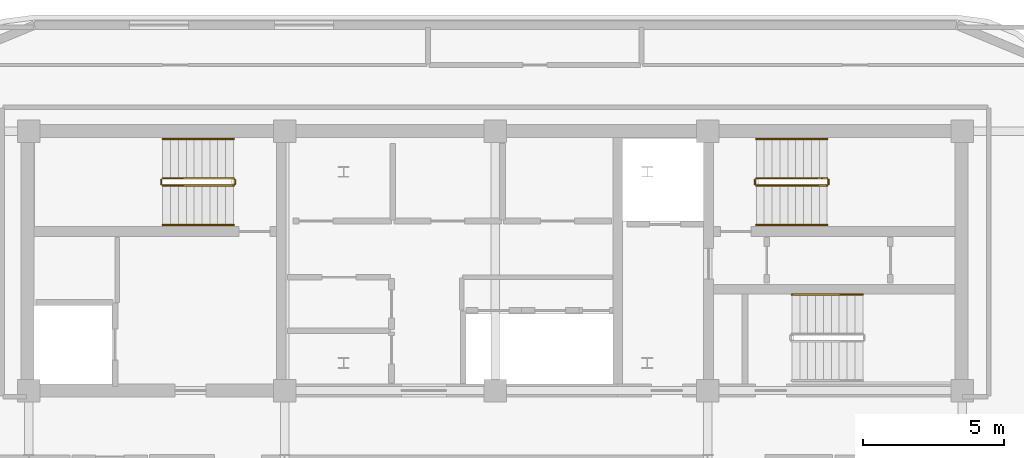
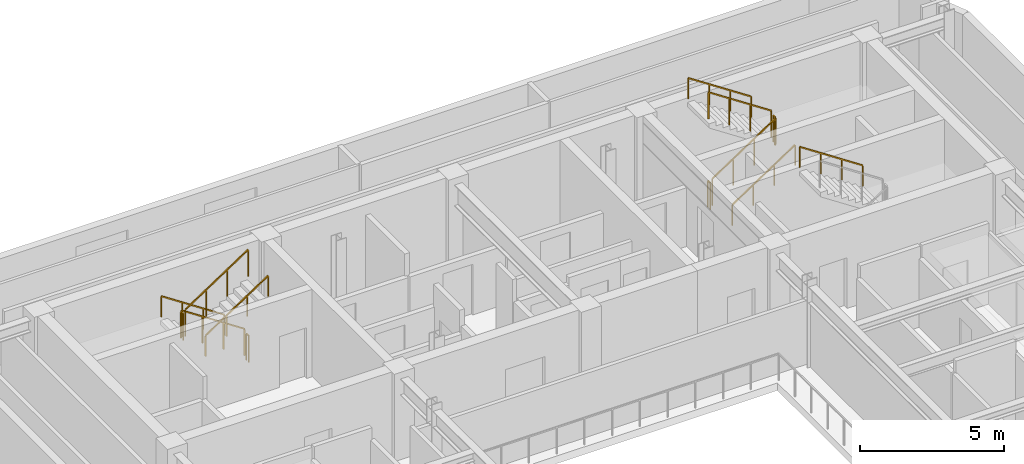
# One storey, part 14 of 14: 13 railings.
"""IFC4 building model written with IfcOpenShell, lengths in metres."""

import ifcopenshell
import ifcopenshell.guid

model = None  # the IFC model being written
_history = None  # IfcOwnerHistory: only IFC2X3 demands one
_inside = {}  # id of a spatial element -> (the spatial element, [elements in it])
_under = {}  # id of a project, library or spatial element -> (it, [spatial elements below it])
_declared = {}  # id of a project -> (the project, [libraries it declares])
_typed = {}  # id of a type object -> (the type object, [elements of that type])
_made_of = {}  # id of a material, layer set ... -> (it, [elements and type objects made of it])


def new_model(schema):
    """Start an empty IFC model of exactly this schema.

    Asked for "IFC4X3", IfcOpenShell would pick the latest addendum, in which some entities
    have other attributes; the version numbers below select the first issue.
    IFC2X3 requires an IfcOwnerHistory on every rooted entity: one is made here for all.
    """
    global model, _history
    if schema == "IFC4X3":
        model = ifcopenshell.file(schema_version=(4, 3, 0, 0))
    else:
        model = ifcopenshell.file(schema=schema)
    _inside.clear()
    _under.clear()
    _declared.clear()
    _typed.clear()
    _made_of.clear()
    _history = None
    if model.schema == "IFC2X3":
        org = make("IfcOrganization", Name="unknown")
        user = make(
            "IfcPersonAndOrganization",
            ThePerson=make("IfcPerson", FamilyName="unknown"),
            TheOrganization=org,
        )
        app = make(
            "IfcApplication",
            ApplicationDeveloper=org,
            Version="unknown",
            ApplicationFullName="unknown",
            ApplicationIdentifier="unknown",
        )
        _history = make(
            "IfcOwnerHistory",
            OwningUser=user,
            OwningApplication=app,
            ChangeAction="ADDED",
            CreationDate=0,
        )
    return model


def make(cls, **values):
    """One entity of the class cls with the attributes given. An attribute that is None is left unset."""
    return model.create_entity(
        cls, **{name: value for name, value in values.items() if value is not None}
    )


def rooted(cls, **values):
    """An entity with a GlobalId (a new one), such as an element, a storey or a relation."""
    return make(cls, GlobalId=ifcopenshell.guid.new(), OwnerHistory=_history, **values)


def si_unit(unit_type, name, prefix=None):
    """IfcSIUnit, for example si_unit("LENGTHUNIT", "METRE", prefix="MILLI")."""
    return make("IfcSIUnit", UnitType=unit_type, Prefix=prefix, Name=name)


def assignment(units):
    """IfcUnitAssignment: the units of a project."""
    return None if units is None else make("IfcUnitAssignment", Units=units)


def point(xyz):
    """IfcCartesianPoint."""
    return None if xyz is None else make("IfcCartesianPoint", Coordinates=xyz)


def direction(xyz):
    """IfcDirection."""
    return None if xyz is None else make("IfcDirection", DirectionRatios=xyz)


def frame(location, z_axis=None, x_axis=None):
    """IfcAxis2Placement3D, a coordinate frame: its origin and axes. An axis left out is left unset."""
    return make(
        "IfcAxis2Placement3D",
        Location=point(location),
        Axis=direction(z_axis),
        RefDirection=direction(x_axis),
    )


def frame_2d(location, x_axis=None):
    """IfcAxis2Placement2D, a coordinate frame in the plane: its origin and x axis."""
    return make(
        "IfcAxis2Placement2D", Location=point(location), RefDirection=direction(x_axis)
    )


def origin():
    """The frame at (0, 0, 0) with its axes left unset."""
    return frame((0.0, 0.0, 0.0))


def origin_2d():
    """The frame at (0, 0) in the plane with its x axis left unset."""
    return frame_2d((0.0, 0.0))


def place(relative_to, where):
    """IfcLocalPlacement: puts the frame where relative to a parent placement (None: the world)."""
    return make(
        "IfcLocalPlacement", PlacementRelTo=relative_to, RelativePlacement=where
    )


def context(
    kind, dimensions, precision=None, world=None, true_north=None, identifier=None
):
    """IfcGeometricRepresentationContext, for example the 3D "Model" context."""
    return make(
        "IfcGeometricRepresentationContext",
        ContextIdentifier=identifier,
        ContextType=kind,
        CoordinateSpaceDimension=dimensions,
        Precision=precision,
        WorldCoordinateSystem=world,
        TrueNorth=true_north,
    )


def subcontext(parent, identifier, kind, view, scale=None):
    """IfcGeometricRepresentationSubContext, for example "Body" below "Model"."""
    return make(
        "IfcGeometricRepresentationSubContext",
        ContextIdentifier=identifier,
        ContextType=kind,
        ParentContext=parent,
        TargetScale=scale,
        TargetView=view,
    )


def project(units=None, contexts=None):
    """IfcProject with its units and contexts."""
    return rooted(
        "IfcProject",
        Name="project",
        RepresentationContexts=contexts,
        UnitsInContext=assignment(units),
    )


def spatial(cls, under=None, at=None, **own):
    """A site, building, storey or space (cls), placed at a placement, below another one or the project."""
    s = rooted(cls, ObjectPlacement=at, **own)
    if under is not None:
        _under.setdefault(under.id(), (under, []))[1].append(s)
    return s


def profile(cls, at=None, kind="AREA", **sizes):
    """A parametric profile (cls). Its sizes go by their IFC names, for example OverallWidth=200.0."""
    return make(cls, ProfileType=kind, Position=at, **sizes)


def rectangle(**sizes):
    """IfcRectangleProfileDef."""
    return profile("IfcRectangleProfileDef", **sizes)


def extrude(swept, where, along, depth):
    """IfcExtrudedAreaSolid: the profile swept, set in the frame where, extruded along a direction by depth."""
    return make(
        "IfcExtrudedAreaSolid",
        SweptArea=swept,
        Position=where,
        ExtrudedDirection=direction(along),
        Depth=depth,
    )


def shape(context_of_items, identifier, shape_type, items):
    """IfcShapeRepresentation: the items that make up one representation, for example the "Body"."""
    return make(
        "IfcShapeRepresentation",
        ContextOfItems=context_of_items,
        RepresentationIdentifier=identifier,
        RepresentationType=shape_type,
        Items=items,
    )


def material(Name=None, Category=None):
    """IfcMaterial."""
    return make("IfcMaterial", Name=Name, Category=Category)


def made_of(thing, what):
    """Note that an element or type object is made of a material, layer set ...; save() writes the relation."""
    if what is not None:
        _made_of.setdefault(what.id(), (what, []))[1].append(thing)
    return thing


def type_object(cls, material=None, **own):
    """A type object (cls), such as IfcWallType, which elements share."""
    return made_of(rooted(cls, **own), material)


def element(
    cls,
    number,
    at=None,
    inside=None,
    cuts=None,
    type_object=None,
    material=None,
    context=None,
    identifier="Body",
    shape_type=None,
    held_by="IfcProductDefinitionShape",
    body=None,
    shapes=None,
    **own,
):
    """One element of the class cls, such as IfcWall. Its Tag is "e" and its number.

    at: its placement. inside: the storey or other place that contains it. cuts: it is an
    opening in that element (IfcRelVoidsElement). A single representation is given by context,
    identifier, shape_type and body (its items); several are given by shapes. held_by: the class
    of the entity that holds the representations. save() writes the other relations.
    """
    e = rooted(cls, Tag="e%d" % number, ObjectPlacement=at, **own)
    if body is not None:
        shapes = [shape(context, identifier, shape_type, body)]
    if shapes is not None:
        e.Representation = make(held_by, Representations=shapes)
    if inside is not None:
        _inside.setdefault(inside.id(), (inside, []))[1].append(e)
    if cuts is not None:
        rooted(
            "IfcRelVoidsElement", RelatingBuildingElement=cuts, RelatedOpeningElement=e
        )
    if type_object is not None:
        _typed.setdefault(type_object.id(), (type_object, []))[1].append(e)
    return made_of(e, material)


def aggregate(whole, parts):
    """IfcRelAggregates: a whole, such as a stair, and the parts it consists of."""
    return rooted("IfcRelAggregates", RelatingObject=whole, RelatedObjects=parts)


def save(model, path):
    """Write the relations noted so far, then the file.

    IfcRelAggregates (storeys below a building ...), IfcRelContainedInSpatialStructure (elements
    in a storey), IfcRelDefinesByType, IfcRelAssociatesMaterial and IfcRelDeclares: one each for
    every whole, place, type object, material and project.
    """
    for whole, parts in _under.values():
        aggregate(whole, parts)
    for where, things in _inside.values():
        rooted(
            "IfcRelContainedInSpatialStructure",
            RelatedElements=things,
            RelatingStructure=where,
        )
    for kind, things in _typed.values():
        rooted("IfcRelDefinesByType", RelatedObjects=things, RelatingType=kind)
    for what, things in _made_of.values():
        rooted("IfcRelAssociatesMaterial", RelatedObjects=things, RelatingMaterial=what)
    for by, libraries in _declared.values():
        rooted("IfcRelDeclares", RelatingContext=by, RelatedDefinitions=libraries)
    model.write(path)


model = new_model("IFC4")

# Units and contexts
model_context = context("Model", 3, precision=1e-05, world=origin(), true_north=direction((0.0, 1.0)))
body_context = subcontext(model_context, "Body", "Model", "MODEL_VIEW")
ifc_project = project(units=[si_unit("LENGTHUNIT", "METRE"), si_unit("AREAUNIT", "SQUARE_METRE"), si_unit("VOLUMEUNIT", "CUBIC_METRE"), si_unit("PLANEANGLEUNIT", "RADIAN"), si_unit("MASSUNIT", "GRAM", prefix="KILO")], contexts=[model_context])

# Site, building, storey
site_placement = place(None, origin())
site = spatial("IfcSite", under=ifc_project, at=site_placement, CompositionType="ELEMENT")
building_placement = place(site_placement, origin())
building = spatial("IfcBuilding", under=site, at=building_placement, Name="Zarnavel Station Tower", CompositionType="ELEMENT")
storey_placement = place(building_placement, frame((0.0, 0.0, 243.60009765625)))
storey = spatial("IfcBuildingStorey", under=building, at=storey_placement, Name="L66", CompositionType="ELEMENT", Elevation=243.60009765625)

# Railings
ifc_material_1 = material(Name="Painted Steel S355J2 Balustrade", Category="steel")
railing_type_1 = type_object("IfcRailingType", Name="GR_INT_1150", PredefinedType="GUARDRAIL", material=ifc_material_1)
railing_1_placement = place(storey_placement, frame((19.47998046875, 35.3701171875, 0.184814453125)))
element("IfcRailing", 1, at=railing_1_placement, inside=storey, type_object=railing_type_1, Name="L66 ST1 stair guard 1", PredefinedType="GUARDRAIL", context=body_context, shape_type="SweptSolid", body=[
    extrude(rectangle(XDim=0.048095703125, YDim=0.048095703125, at=origin_2d()), frame((-0.001708984375, 0.0, 1.126953125), z_axis=(-0.834331337432, 0.0, 0.55126329406), x_axis=(0.0, -1.0, 0.0)), (0.0, 0.0, 1.0), 3.016357421875),
    extrude(rectangle(XDim=0.0419921875, YDim=0.0419921875, at=origin_2d()), origin(), (0.0, 0.0, 1.0), 1.101806640625),
    extrude(rectangle(XDim=0.0419921875, YDim=0.0419921875, at=origin_2d()), frame((-0.840087890625, 0.0, 0.554931640625)), (0.0, 0.0, 1.0), 1.101806640625),
    extrude(rectangle(XDim=0.0419921875, YDim=0.0419921875, at=origin_2d()), frame((-1.679931640625, 0.0, 1.110107421875)), (0.0, 0.0, 1.0), 1.101806640625),
    extrude(rectangle(XDim=0.0419921875, YDim=0.0419921875, at=origin_2d()), frame((-2.52001953125, 0.0, 1.6650390625)), (0.0, 0.0, 1.0), 1.101806640625),
])
railing_2_placement = place(storey_placement, frame((16.909912109375, 35.320068359375, 1.849853515625)))
element("IfcRailing", 2, at=railing_2_placement, inside=storey, type_object=railing_type_1, Name="L66 ST1 stair guard 2", PredefinedType="GUARDRAIL", context=body_context, shape_type="SweptSolid", body=[
    extrude(rectangle(XDim=0.048095703125, YDim=0.048095703125, at=origin_2d()), frame((0.0, -0.001953125, 1.1259765625), z_axis=(0.0, -1.0, 0.0), x_axis=(1.0, 0.0, 0.0)), (0.0, 0.0, 1.0), 0.15625),
    extrude(rectangle(XDim=0.0419921875, YDim=0.0419921875, at=origin_2d()), origin(), (0.0, 0.0, 1.0), 1.101806640625),
    extrude(rectangle(XDim=0.0419921875, YDim=0.0419921875, at=origin_2d()), frame((0.0, -0.16015625, 0.0)), (0.0, 0.0, 1.0), 1.101806640625),
])
railing_3_placement = place(storey_placement, frame((16.9599609375, 35.110107421875, 2.034912109375)))
element("IfcRailing", 3, at=railing_3_placement, inside=storey, type_object=railing_type_1, Name="L66 ST1 stair guard 3", PredefinedType="GUARDRAIL", context=body_context, shape_type="SweptSolid", body=[
    extrude(rectangle(XDim=0.048095703125, YDim=0.048095703125, at=origin_2d()), frame((0.001708984375, 0.0, 1.126953125), z_axis=(0.834331337432, 0.0, 0.55126329406), x_axis=(0.0, 1.0, 0.0)), (0.0, 0.0, 1.0), 3.016357421875),
    extrude(rectangle(XDim=0.0419921875, YDim=0.0419921875, at=origin_2d()), origin(), (0.0, 0.0, 1.0), 1.101806640625),
    extrude(rectangle(XDim=0.0419921875, YDim=0.0419921875, at=origin_2d()), frame((0.840087890625, 0.0, 0.554931640625)), (0.0, 0.0, 1.0), 1.101806640625),
    extrude(rectangle(XDim=0.0419921875, YDim=0.0419921875, at=origin_2d()), frame((1.679931640625, 0.0, 1.110107421875)), (0.0, 0.0, 1.0), 1.101806640625),
    extrude(rectangle(XDim=0.0419921875, YDim=0.0419921875, at=origin_2d()), frame((2.52001953125, 0.0, 1.6650390625)), (0.0, 0.0, 1.0), 1.101806640625),
])
railing_4_placement = place(storey_placement, frame((19.530029296875, 35.320068359375, 0.0)))
element("IfcRailing", 4, at=railing_4_placement, inside=storey, type_object=railing_type_1, Name="L66 ST1 stair guard 4", PredefinedType="GUARDRAIL", context=body_context, shape_type="SweptSolid", body=[
    extrude(rectangle(XDim=0.048095703125, YDim=0.048095703125, at=origin_2d()), frame((0.0, -0.001953125, 1.1259765625), z_axis=(0.0, -1.0, 0.0), x_axis=(1.0, 0.0, 0.0)), (0.0, 0.0, 1.0), 0.15625),
    extrude(rectangle(XDim=0.0419921875, YDim=0.0419921875, at=origin_2d()), origin(), (0.0, 0.0, 1.0), 1.101806640625),
    extrude(rectangle(XDim=0.0419921875, YDim=0.0419921875, at=origin_2d()), frame((0.0, -0.16015625, 0.0)), (0.0, 0.0, 1.0), 1.101806640625),
])
railing_5_placement = place(storey_placement, frame((38.080078125, 35.110107421875, 0.184814453125)))
element("IfcRailing", 5, at=railing_5_placement, inside=storey, type_object=railing_type_1, Name="L66 ST2 stair guard 1", PredefinedType="GUARDRAIL", context=body_context, shape_type="SweptSolid", body=[
    extrude(rectangle(XDim=0.048095703125, YDim=0.048095703125, at=origin_2d()), frame((0.001708984375, 0.0, 1.126953125), z_axis=(0.834331337432, 0.0, 0.55126329406), x_axis=(0.0, 1.0, 0.0)), (0.0, 0.0, 1.0), 3.016357421875),
    extrude(rectangle(XDim=0.0419921875, YDim=0.0419921875, at=origin_2d()), origin(), (0.0, 0.0, 1.0), 1.101806640625),
    extrude(rectangle(XDim=0.0419921875, YDim=0.0419921875, at=origin_2d()), frame((0.840087890625, 0.0, 0.554931640625)), (0.0, 0.0, 1.0), 1.101806640625),
    extrude(rectangle(XDim=0.0419921875, YDim=0.0419921875, at=origin_2d()), frame((1.679931640625, 0.0, 1.110107421875)), (0.0, 0.0, 1.0), 1.101806640625),
    extrude(rectangle(XDim=0.0419921875, YDim=0.0419921875, at=origin_2d()), frame((2.52001953125, 0.0, 1.6650390625)), (0.0, 0.0, 1.0), 1.101806640625),
])
railing_6_placement = place(storey_placement, frame((40.64990234375, 35.159912109375, 1.849853515625)))
element("IfcRailing", 6, at=railing_6_placement, inside=storey, type_object=railing_type_1, Name="L66 ST2 stair guard 2", PredefinedType="GUARDRAIL", context=body_context, shape_type="SweptSolid", body=[
    extrude(rectangle(XDim=0.048095703125, YDim=0.048095703125, at=origin_2d()), frame((0.0, 0.001953125, 1.1259765625), z_axis=(0.0, 1.0, 0.0), x_axis=(-1.0, 0.0, 0.0)), (0.0, 0.0, 1.0), 0.15625),
    extrude(rectangle(XDim=0.0419921875, YDim=0.0419921875, at=origin_2d()), origin(), (0.0, 0.0, 1.0), 1.101806640625),
    extrude(rectangle(XDim=0.0419921875, YDim=0.0419921875, at=origin_2d()), frame((0.0, 0.16015625, 0.0)), (0.0, 0.0, 1.0), 1.101806640625),
])
railing_7_placement = place(storey_placement, frame((40.60009765625, 35.3701171875, 2.034912109375)))
element("IfcRailing", 7, at=railing_7_placement, inside=storey, type_object=railing_type_1, Name="L66 ST2 stair guard 3", PredefinedType="GUARDRAIL", context=body_context, shape_type="SweptSolid", body=[
    extrude(rectangle(XDim=0.048095703125, YDim=0.048095703125, at=origin_2d()), frame((-0.001708984375, 0.0, 1.126953125), z_axis=(-0.834331337432, 0.0, 0.55126329406), x_axis=(0.0, -1.0, 0.0)), (0.0, 0.0, 1.0), 3.016357421875),
    extrude(rectangle(XDim=0.0419921875, YDim=0.0419921875, at=origin_2d()), origin(), (0.0, 0.0, 1.0), 1.101806640625),
    extrude(rectangle(XDim=0.0419921875, YDim=0.0419921875, at=origin_2d()), frame((-0.840087890625, 0.0, 0.554931640625)), (0.0, 0.0, 1.0), 1.101806640625),
    extrude(rectangle(XDim=0.0419921875, YDim=0.0419921875, at=origin_2d()), frame((-1.679931640625, 0.0, 1.110107421875)), (0.0, 0.0, 1.0), 1.101806640625),
    extrude(rectangle(XDim=0.0419921875, YDim=0.0419921875, at=origin_2d()), frame((-2.52001953125, 0.0, 1.6650390625)), (0.0, 0.0, 1.0), 1.101806640625),
])
railing_8_placement = place(storey_placement, frame((38.030029296875, 35.159912109375, 0.0)))
element("IfcRailing", 8, at=railing_8_placement, inside=storey, type_object=railing_type_1, Name="L66 ST2 stair guard 4", PredefinedType="GUARDRAIL", context=body_context, shape_type="SweptSolid", body=[
    extrude(rectangle(XDim=0.048095703125, YDim=0.048095703125, at=origin_2d()), frame((0.0, 0.001953125, 1.1259765625), z_axis=(0.0, 1.0, 0.0), x_axis=(-1.0, 0.0, 0.0)), (0.0, 0.0, 1.0), 0.15625),
    extrude(rectangle(XDim=0.0419921875, YDim=0.0419921875, at=origin_2d()), origin(), (0.0, 0.0, 1.0), 1.101806640625),
    extrude(rectangle(XDim=0.0419921875, YDim=0.0419921875, at=origin_2d()), frame((0.0, 0.16015625, 0.0)), (0.0, 0.0, 1.0), 1.101806640625),
])
ifc_material_2 = material(Name="Brushed Stainless Steel S355J2 Handrail", Category="steel")
railing_type_2 = type_object("IfcRailingType", Name="HR_STAIR_900", PredefinedType="HANDRAIL", material=ifc_material_2)
railing_9_placement = place(storey_placement, frame((19.47998046875, 36.77001953125, 0.184814453125)))
element("IfcRailing", 9, at=railing_9_placement, inside=storey, type_object=railing_type_2, Name="L66 ST1 stair handrail 1", PredefinedType="HANDRAIL", context=body_context, shape_type="SweptSolid", body=[
    extrude(rectangle(XDim=0.048095703125, YDim=0.048095703125, at=origin_2d()), frame((-0.001708984375, 0.0, 0.876953125), z_axis=(-0.834331337432, 0.0, 0.55126329406), x_axis=(0.0, -1.0, 0.0)), (0.0, 0.0, 1.0), 3.016357421875),
    extrude(rectangle(XDim=0.0419921875, YDim=0.0419921875, at=origin_2d()), origin(), (0.0, 0.0, 1.0), 0.851806640625),
    extrude(rectangle(XDim=0.0419921875, YDim=0.0419921875, at=origin_2d()), frame((-0.840087890625, 0.0, 0.554931640625)), (0.0, 0.0, 1.0), 0.851806640625),
    extrude(rectangle(XDim=0.0419921875, YDim=0.0419921875, at=origin_2d()), frame((-1.679931640625, 0.0, 1.110107421875)), (0.0, 0.0, 1.0), 0.851806640625),
    extrude(rectangle(XDim=0.0419921875, YDim=0.0419921875, at=origin_2d()), frame((-2.52001953125, 0.0, 1.6650390625)), (0.0, 0.0, 1.0), 0.851806640625),
])
for number, where, name in (
    (10, (16.9599609375, 33.7099609375, 2.034912109375), "L66 ST1 stair handrail 2"),
    (11, (38.080078125, 33.7099609375, 0.184814453125), "L66 ST2 stair handrail 1"),
):
    element("IfcRailing", number, at=place(storey_placement, frame(where)), inside=storey, type_object=railing_type_2, Name=name, PredefinedType="HANDRAIL", context=body_context, shape_type="SweptSolid", body=[
        extrude(rectangle(XDim=0.048095703125, YDim=0.048095703125, at=origin_2d()), frame((0.001708984375, 0.0, 0.876953125), z_axis=(0.834331337432, 0.0, 0.55126329406), x_axis=(0.0, 1.0, 0.0)), (0.0, 0.0, 1.0), 3.016357421875),
        extrude(rectangle(XDim=0.0419921875, YDim=0.0419921875, at=origin_2d()), origin(), (0.0, 0.0, 1.0), 0.851806640625),
        extrude(rectangle(XDim=0.0419921875, YDim=0.0419921875, at=origin_2d()), frame((0.840087890625, 0.0, 0.554931640625)), (0.0, 0.0, 1.0), 0.851806640625),
        extrude(rectangle(XDim=0.0419921875, YDim=0.0419921875, at=origin_2d()), frame((1.679931640625, 0.0, 1.110107421875)), (0.0, 0.0, 1.0), 0.851806640625),
        extrude(rectangle(XDim=0.0419921875, YDim=0.0419921875, at=origin_2d()), frame((2.52001953125, 0.0, 1.6650390625)), (0.0, 0.0, 1.0), 0.851806640625),
    ])
for number, where, name in (
    (12, (40.60009765625, 36.77001953125, 2.034912109375), "L66 ST2 stair handrail 2"),
    (13, (41.8701171875, 31.22998046875, 2.034912109375), "L66 ST3 stair handrail 2"),
):
    element("IfcRailing", number, at=place(storey_placement, frame(where)), inside=storey, type_object=railing_type_2, Name=name, PredefinedType="HANDRAIL", context=body_context, shape_type="SweptSolid", body=[
        extrude(rectangle(XDim=0.048095703125, YDim=0.048095703125, at=origin_2d()), frame((-0.001708984375, 0.0, 0.876953125), z_axis=(-0.834331337432, 0.0, 0.55126329406), x_axis=(0.0, -1.0, 0.0)), (0.0, 0.0, 1.0), 3.016357421875),
        extrude(rectangle(XDim=0.0419921875, YDim=0.0419921875, at=origin_2d()), origin(), (0.0, 0.0, 1.0), 0.851806640625),
        extrude(rectangle(XDim=0.0419921875, YDim=0.0419921875, at=origin_2d()), frame((-0.840087890625, 0.0, 0.554931640625)), (0.0, 0.0, 1.0), 0.851806640625),
        extrude(rectangle(XDim=0.0419921875, YDim=0.0419921875, at=origin_2d()), frame((-1.679931640625, 0.0, 1.110107421875)), (0.0, 0.0, 1.0), 0.851806640625),
        extrude(rectangle(XDim=0.0419921875, YDim=0.0419921875, at=origin_2d()), frame((-2.52001953125, 0.0, 1.6650390625)), (0.0, 0.0, 1.0), 0.851806640625),
    ])

save(model, "model.ifc")
